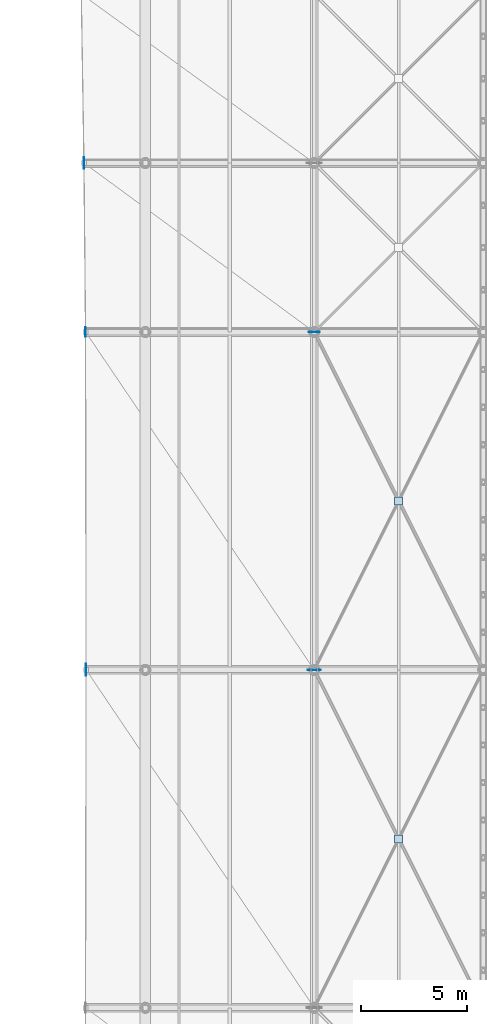
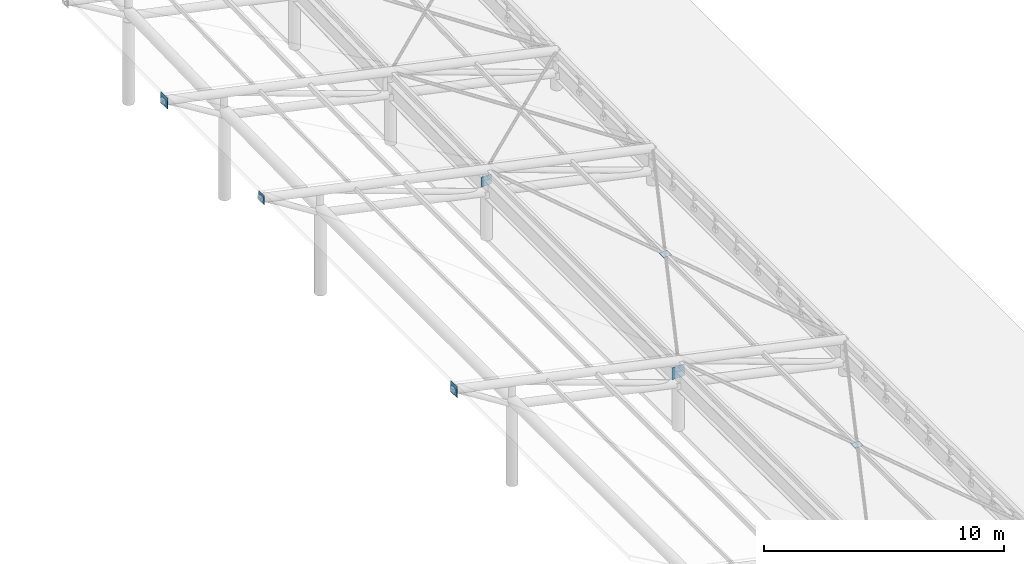
# One storey, part 30 of 41: 7 plates.
"""IFC4 building model written with IfcOpenShell, lengths in metres."""

import ifcopenshell
import ifcopenshell.guid

model = None  # the IFC model being written
_history = None  # IfcOwnerHistory: only IFC2X3 demands one
_inside = {}  # id of a spatial element -> (the spatial element, [elements in it])
_under = {}  # id of a project, library or spatial element -> (it, [spatial elements below it])
_declared = {}  # id of a project -> (the project, [libraries it declares])
_typed = {}  # id of a type object -> (the type object, [elements of that type])
_made_of = {}  # id of a material, layer set ... -> (it, [elements and type objects made of it])


def new_model(schema):
    """Start an empty IFC model of exactly this schema.

    Asked for "IFC4X3", IfcOpenShell would pick the latest addendum, in which some entities
    have other attributes; the version numbers below select the first issue.
    IFC2X3 requires an IfcOwnerHistory on every rooted entity: one is made here for all.
    """
    global model, _history
    if schema == "IFC4X3":
        model = ifcopenshell.file(schema_version=(4, 3, 0, 0))
    else:
        model = ifcopenshell.file(schema=schema)
    _inside.clear()
    _under.clear()
    _declared.clear()
    _typed.clear()
    _made_of.clear()
    _history = None
    if model.schema == "IFC2X3":
        org = make("IfcOrganization", Name="unknown")
        user = make(
            "IfcPersonAndOrganization",
            ThePerson=make("IfcPerson", FamilyName="unknown"),
            TheOrganization=org,
        )
        app = make(
            "IfcApplication",
            ApplicationDeveloper=org,
            Version="unknown",
            ApplicationFullName="unknown",
            ApplicationIdentifier="unknown",
        )
        _history = make(
            "IfcOwnerHistory",
            OwningUser=user,
            OwningApplication=app,
            ChangeAction="ADDED",
            CreationDate=0,
        )
    return model


def make(cls, **values):
    """One entity of the class cls with the attributes given. An attribute that is None is left unset."""
    return model.create_entity(
        cls, **{name: value for name, value in values.items() if value is not None}
    )


def rooted(cls, **values):
    """An entity with a GlobalId (a new one), such as an element, a storey or a relation."""
    return make(cls, GlobalId=ifcopenshell.guid.new(), OwnerHistory=_history, **values)


def si_unit(unit_type, name, prefix=None):
    """IfcSIUnit, for example si_unit("LENGTHUNIT", "METRE", prefix="MILLI")."""
    return make("IfcSIUnit", UnitType=unit_type, Prefix=prefix, Name=name)


def assignment(units):
    """IfcUnitAssignment: the units of a project."""
    return None if units is None else make("IfcUnitAssignment", Units=units)


def point(xyz):
    """IfcCartesianPoint."""
    return None if xyz is None else make("IfcCartesianPoint", Coordinates=xyz)


def direction(xyz):
    """IfcDirection."""
    return None if xyz is None else make("IfcDirection", DirectionRatios=xyz)


def frame(location, z_axis=None, x_axis=None):
    """IfcAxis2Placement3D, a coordinate frame: its origin and axes. An axis left out is left unset."""
    return make(
        "IfcAxis2Placement3D",
        Location=point(location),
        Axis=direction(z_axis),
        RefDirection=direction(x_axis),
    )


def frame_2d(location, x_axis=None):
    """IfcAxis2Placement2D, a coordinate frame in the plane: its origin and x axis."""
    return make(
        "IfcAxis2Placement2D", Location=point(location), RefDirection=direction(x_axis)
    )


def origin():
    """The frame at (0, 0, 0) with its axes left unset."""
    return frame((0.0, 0.0, 0.0))


def origin_2d():
    """The frame at (0, 0) in the plane with its x axis left unset."""
    return frame_2d((0.0, 0.0))


def place(relative_to, where):
    """IfcLocalPlacement: puts the frame where relative to a parent placement (None: the world)."""
    return make(
        "IfcLocalPlacement", PlacementRelTo=relative_to, RelativePlacement=where
    )


def context(
    kind, dimensions, precision=None, world=None, true_north=None, identifier=None
):
    """IfcGeometricRepresentationContext, for example the 3D "Model" context."""
    return make(
        "IfcGeometricRepresentationContext",
        ContextIdentifier=identifier,
        ContextType=kind,
        CoordinateSpaceDimension=dimensions,
        Precision=precision,
        WorldCoordinateSystem=world,
        TrueNorth=true_north,
    )


def subcontext(parent, identifier, kind, view, scale=None):
    """IfcGeometricRepresentationSubContext, for example "Body" below "Model"."""
    return make(
        "IfcGeometricRepresentationSubContext",
        ContextIdentifier=identifier,
        ContextType=kind,
        ParentContext=parent,
        TargetScale=scale,
        TargetView=view,
    )


def project(units=None, contexts=None):
    """IfcProject with its units and contexts."""
    return rooted(
        "IfcProject",
        Name="project",
        RepresentationContexts=contexts,
        UnitsInContext=assignment(units),
    )


def spatial(cls, under=None, at=None, **own):
    """A site, building, storey or space (cls), placed at a placement, below another one or the project."""
    s = rooted(cls, ObjectPlacement=at, **own)
    if under is not None:
        _under.setdefault(under.id(), (under, []))[1].append(s)
    return s


def profile(cls, at=None, kind="AREA", **sizes):
    """A parametric profile (cls). Its sizes go by their IFC names, for example OverallWidth=200.0."""
    return make(cls, ProfileType=kind, Position=at, **sizes)


def rectangle(**sizes):
    """IfcRectangleProfileDef."""
    return profile("IfcRectangleProfileDef", **sizes)


def extrude(swept, where, along, depth):
    """IfcExtrudedAreaSolid: the profile swept, set in the frame where, extruded along a direction by depth."""
    return make(
        "IfcExtrudedAreaSolid",
        SweptArea=swept,
        Position=where,
        ExtrudedDirection=direction(along),
        Depth=depth,
    )


def shape(context_of_items, identifier, shape_type, items):
    """IfcShapeRepresentation: the items that make up one representation, for example the "Body"."""
    return make(
        "IfcShapeRepresentation",
        ContextOfItems=context_of_items,
        RepresentationIdentifier=identifier,
        RepresentationType=shape_type,
        Items=items,
    )


def material(Name=None, Category=None):
    """IfcMaterial."""
    return make("IfcMaterial", Name=Name, Category=Category)


def layer(
    of_material, thickness, ventilated=None, Name=None, Category=None, Priority=None
):
    """IfcMaterialLayer: one layer of a wall or slab, of a material (None: an air gap)."""
    return make(
        "IfcMaterialLayer",
        Material=of_material,
        LayerThickness=thickness,
        IsVentilated=ventilated,
        Name=Name,
        Category=Category,
        Priority=Priority,
    )


def layer_set(layers, Name=None):
    """IfcMaterialLayerSet."""
    return make("IfcMaterialLayerSet", MaterialLayers=layers, LayerSetName=Name)


def made_of(thing, what):
    """Note that an element or type object is made of a material, layer set ...; save() writes the relation."""
    if what is not None:
        _made_of.setdefault(what.id(), (what, []))[1].append(thing)
    return thing


def type_object(cls, material=None, **own):
    """A type object (cls), such as IfcWallType, which elements share."""
    return made_of(rooted(cls, **own), material)


def element(
    cls,
    number,
    at=None,
    inside=None,
    cuts=None,
    type_object=None,
    material=None,
    context=None,
    identifier="Body",
    shape_type=None,
    held_by="IfcProductDefinitionShape",
    body=None,
    shapes=None,
    **own,
):
    """One element of the class cls, such as IfcWall. Its Tag is "e" and its number.

    at: its placement. inside: the storey or other place that contains it. cuts: it is an
    opening in that element (IfcRelVoidsElement). A single representation is given by context,
    identifier, shape_type and body (its items); several are given by shapes. held_by: the class
    of the entity that holds the representations. save() writes the other relations.
    """
    e = rooted(cls, Tag="e%d" % number, ObjectPlacement=at, **own)
    if body is not None:
        shapes = [shape(context, identifier, shape_type, body)]
    if shapes is not None:
        e.Representation = make(held_by, Representations=shapes)
    if inside is not None:
        _inside.setdefault(inside.id(), (inside, []))[1].append(e)
    if cuts is not None:
        rooted(
            "IfcRelVoidsElement", RelatingBuildingElement=cuts, RelatedOpeningElement=e
        )
    if type_object is not None:
        _typed.setdefault(type_object.id(), (type_object, []))[1].append(e)
    return made_of(e, material)


def aggregate(whole, parts):
    """IfcRelAggregates: a whole, such as a stair, and the parts it consists of."""
    return rooted("IfcRelAggregates", RelatingObject=whole, RelatedObjects=parts)


def save(model, path):
    """Write the relations noted so far, then the file.

    IfcRelAggregates (storeys below a building ...), IfcRelContainedInSpatialStructure (elements
    in a storey), IfcRelDefinesByType, IfcRelAssociatesMaterial and IfcRelDeclares: one each for
    every whole, place, type object, material and project.
    """
    for whole, parts in _under.values():
        aggregate(whole, parts)
    for where, things in _inside.values():
        rooted(
            "IfcRelContainedInSpatialStructure",
            RelatedElements=things,
            RelatingStructure=where,
        )
    for kind, things in _typed.values():
        rooted("IfcRelDefinesByType", RelatedObjects=things, RelatingType=kind)
    for what, things in _made_of.values():
        rooted("IfcRelAssociatesMaterial", RelatedObjects=things, RelatingMaterial=what)
    for by, libraries in _declared.values():
        rooted("IfcRelDeclares", RelatingContext=by, RelatedDefinitions=libraries)
    model.write(path)


model = new_model("IFC4")

# Units and contexts
model_context = context("Model", 3, precision=1e-05, world=origin(), true_north=direction((0.0, 1.0)))
body_context = subcontext(model_context, "Body", "Model", "MODEL_VIEW")
ifc_project = project(units=[si_unit("LENGTHUNIT", "METRE"), si_unit("AREAUNIT", "SQUARE_METRE"), si_unit("VOLUMEUNIT", "CUBIC_METRE"), si_unit("PLANEANGLEUNIT", "RADIAN"), si_unit("MASSUNIT", "GRAM", prefix="KILO")], contexts=[model_context])

# Site, building, storey
site_placement = place(None, origin())
site = spatial("IfcSite", under=ifc_project, at=site_placement, CompositionType="ELEMENT")
building_placement = place(site_placement, origin())
building = spatial("IfcBuilding", under=site, at=building_placement, Name="Haebicheon Civic Stadium", CompositionType="ELEMENT")
storey_placement = place(building_placement, frame((0.0, 0.0, 27.0)))
storey = spatial("IfcBuildingStorey", under=building, at=storey_placement, Name="L07", CompositionType="ELEMENT", Elevation=27.0)

# Plates
ifc_material_1 = material(Name="White painted steel SM490", Category="steel")
ifc_layer_1 = layer(ifc_material_1, 0.02001953125, Name="White painted steel SM490")
ifc_layer_set_1 = layer_set([ifc_layer_1], Name="White painted steel SM490")
plate_type_1 = type_object("IfcPlateType", Name="PLT-CAP-20", PredefinedType="SHEET", material=ifc_layer_set_1)
plate_1_placement = place(storey_placement, frame((133.175048828125, 104.0, 5.5849609375), z_axis=(0.0, 0.0, 1.0), x_axis=(0.0, 1.0, 0.0)))
element("IfcPlate", 1, at=plate_1_placement, inside=storey, type_object=plate_type_1, material=ifc_layer_set_1, Name="CAN-EAST tip end-cap plate 6", PredefinedType="SHEET", context=body_context, shape_type="SweptSolid", body=[
    extrude(rectangle(XDim=0.4599609375, YDim=0.02001953125, at=origin_2d()), origin(), (0.0, 0.0, 1.0), 0.4599609375),
])
ifc_material_2 = material(Name="White painted steel SM490", Category="steel")
ifc_layer_2 = layer(ifc_material_2, 0.02587890625, Name="White painted steel SM490")
ifc_layer_set_2 = layer_set([ifc_layer_2], Name="White painted steel SM490")
plate_type_2 = type_object("IfcPlateType", Name="PLT-CAP-26", PredefinedType="SHEET", material=ifc_layer_set_2)
for number, where, z_axis, x_axis, name in (
    (2, (133.199951171875, 88.0, 5.489013671875), (0.0, 0.0, 1.0), (0.0, 1.0, 0.0), "CAN-EAST tip end-cap plate 5"),
    (3, (133.10009765625, 112.0, 5.675048828125), (0.0, 0.0, 1.0), (0.0, 1.0, 0.0), "CAN-EAST tip end-cap plate 7"),
):
    element("IfcPlate", number, at=place(storey_placement, frame(where, z_axis=z_axis, x_axis=x_axis)), inside=storey, type_object=plate_type_2, material=ifc_layer_set_2, Name=name, PredefinedType="SHEET", context=body_context, shape_type="SweptSolid", body=[
        extrude(rectangle(XDim=0.56005859375, YDim=0.02587890625, at=origin_2d()), origin(), (0.0, 0.0, 1.0), 0.56005859375),
    ])
ifc_material_3 = material(Name="White painted steel SM490", Category="steel")
ifc_layer_3 = layer(ifc_material_3, 0.01806640625, Name="White painted steel SM490")
ifc_layer_set_3 = layer_set([ifc_layer_3], Name="White painted steel SM490")
plate_type_3 = type_object("IfcPlateType", Name="PLT-GUS-18", PredefinedType="USERDEFINED", material=ifc_layer_set_3)
plate_2_placement = place(storey_placement, frame((144.0, 104.0, 2.6630859375), z_axis=(0.0, 0.0, 1.0), x_axis=(1.0, 0.0, 0.0)))
element("IfcPlate", 4, at=plate_2_placement, inside=storey, type_object=plate_type_3, material=ifc_layer_set_3, Name="CAN-EAST heel node gusset plate KN-T06", ObjectType="GUSSET PLATE", PredefinedType="USERDEFINED", context=body_context, shape_type="SweptSolid", body=[
    extrude(rectangle(XDim=0.5, YDim=0.01806640625, at=origin_2d()), origin(), (0.0, 0.0, 1.0), 0.5),
])
ifc_material_4 = material(Name="White painted steel SM490", Category="steel")
ifc_layer_4 = layer(ifc_material_4, 0.02392578125, Name="White painted steel SM490")
ifc_layer_set_4 = layer_set([ifc_layer_4], Name="White painted steel SM490")
plate_type_4 = type_object("IfcPlateType", Name="PLT-GUS-24", PredefinedType="USERDEFINED", material=ifc_layer_set_4)
plate_3_placement = place(storey_placement, frame((144.0, 88.0, 2.572021484375), z_axis=(0.0, 0.0, 1.0), x_axis=(1.0, 0.0, 0.0)))
element("IfcPlate", 5, at=plate_3_placement, inside=storey, type_object=plate_type_4, material=ifc_layer_set_4, Name="CAN-EAST heel node gusset plate KN-T05", ObjectType="GUSSET PLATE", PredefinedType="USERDEFINED", context=body_context, shape_type="SweptSolid", body=[
    extrude(rectangle(XDim=0.60009765625, YDim=0.02392578125, at=origin_2d()), origin(), (0.0, 0.0, 1.0), 0.60009765625),
])
ifc_material_5 = material(Name="White painted steel SM490", Category="steel")
ifc_layer_5 = layer(ifc_material_5, 0.013916015625, Name="White painted steel SM490")
ifc_layer_set_5 = layer_set([ifc_layer_5], Name="White painted steel SM490")
plate_type_5 = type_object("IfcPlateType", Name="PLT-XND-14", PredefinedType="SHEET", material=ifc_layer_set_5)
for number, where, z_axis, x_axis, name in (
    (6, (148.0, 80.0, 2.60107421875), (0.0, 0.0, 1.0), (1.0, 0.0, 0.0), "CAN-EAST X-brace crossing gusset plate 4"),
    (7, (148.0, 96.0, 2.60107421875), (0.0, 0.0, 1.0), (1.0, 0.0, 0.0), "CAN-EAST X-brace crossing gusset plate 5"),
):
    element("IfcPlate", number, at=place(storey_placement, frame(where, z_axis=z_axis, x_axis=x_axis)), inside=storey, type_object=plate_type_5, material=ifc_layer_set_5, Name=name, PredefinedType="SHEET", context=body_context, shape_type="SweptSolid", body=[
        extrude(rectangle(XDim=0.3798828125, YDim=0.3798828125, at=origin_2d()), origin(), (0.0, 0.0, 1.0), 0.013916015625),
    ])

save(model, "model.ifc")
